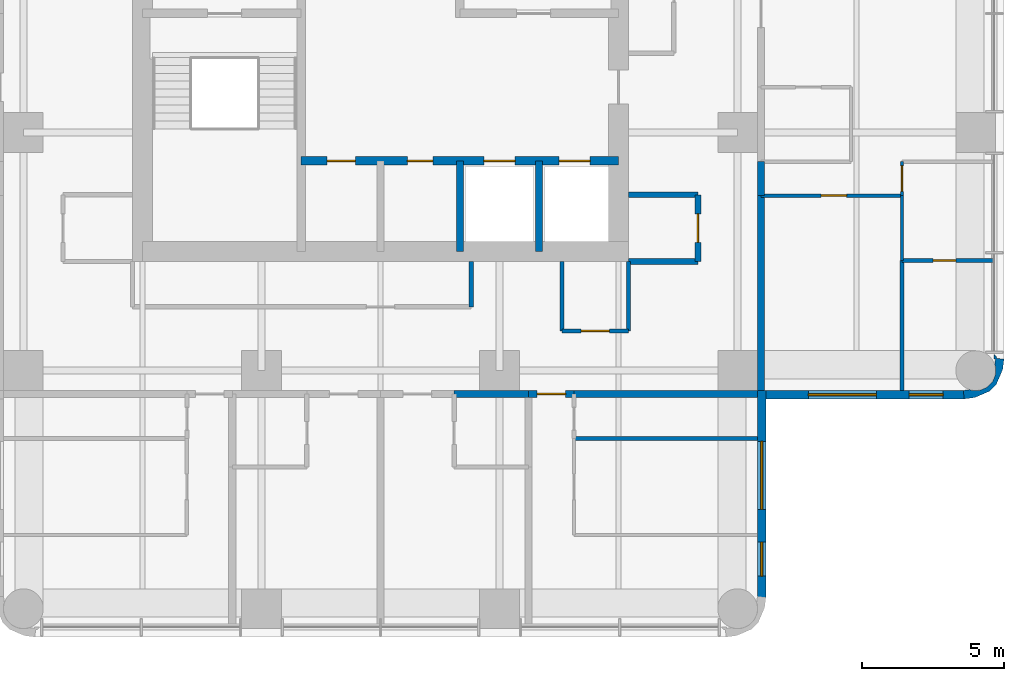
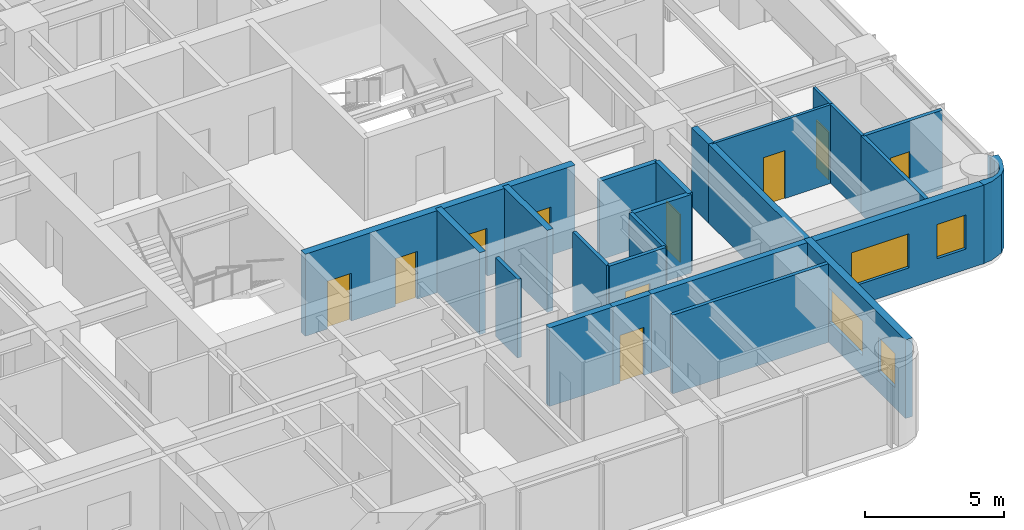
# One storey, part 7 of 11: 24 walls, 10 doors, 4 windows, 14 openings.
"""IFC4 building model written with IfcOpenShell, lengths in metres."""

from ifc_helpers import new_model, si_unit, direction, frame, frame_2d, origin, place, context, subcontext, project, spatial, polyline, rectangle, outline, extrude, material, layer, layer_set, type_object, element, fill, save


model = new_model("IFC4")

# Units and contexts
model_context = context("Model", 3, precision=1e-05, world=origin(), true_north=direction((0.0, 1.0)))
body_context = subcontext(model_context, "Body", "Model", "MODEL_VIEW")
ifc_project = project(units=[si_unit("LENGTHUNIT", "METRE"), si_unit("AREAUNIT", "SQUARE_METRE"), si_unit("VOLUMEUNIT", "CUBIC_METRE"), si_unit("PLANEANGLEUNIT", "RADIAN"), si_unit("MASSUNIT", "GRAM", prefix="KILO")], contexts=[model_context])

# Site, building, storey
site_placement = place(None, origin())
site = spatial("IfcSite", under=ifc_project, at=site_placement, CompositionType="ELEMENT")
building_placement = place(site_placement, origin())
building = spatial("IfcBuilding", under=site, at=building_placement, Name="Torre Alcanfor", CompositionType="ELEMENT")
storey_placement = place(building_placement, frame((0.0, 0.0, 237.300048828125)))
storey = spatial("IfcBuildingStorey", under=building, at=storey_placement, Name="L62", CompositionType="ELEMENT", Elevation=237.300048828125)

# Walls
ifc_material_1 = material(Name="Concrete block masonry, hollow blocks NMX-C-404 9 MPa", Category="masonry")
ifc_layer_1 = layer(ifc_material_1, 0.25)
ifc_layer_set_1 = layer_set([ifc_layer_1], Name="Apartment entrance wall 250 EI 60")
wall_type_1 = type_object("IfcWallType", Name="Apartment entrance wall 250 EI 60", PredefinedType="PARTITIONING", material=ifc_layer_set_1)
wall_1_placement = place(storey_placement, frame((42.824951171875, 24.1708984375, 0.0), z_axis=(0.0, 0.0, 1.0), x_axis=(0.0, -1.0, 0.0)))
element("IfcWall", 1, at=wall_1_placement, inside=storey, type_object=wall_type_1, Name="Partition L62-CORR / L62-EX-LIVING", PredefinedType="PARTITIONING", context=body_context, shape_type="SweptSolid", body=[
    extrude(rectangle(XDim=1.199951171875, YDim=0.25, at=frame_2d((0.60009765625, 0.0))), origin(), (0.0, 0.0, 1.0), 3.449951171875),
])
wall_2_placement = place(storey_placement, frame((42.824951171875, 22.970947265625, 0.0), z_axis=(0.0, 0.0, 1.0), x_axis=(0.0, -1.0, 0.0)))
element("IfcWall", 2, at=wall_2_placement, inside=storey, type_object=wall_type_1, Name="Partition L62-CORR / L62-EX-BED3", PredefinedType="PARTITIONING", context=body_context, shape_type="SweptSolid", body=[
    extrude(rectangle(XDim=6.870849609375, YDim=0.25, at=frame_2d((3.435546875, 0.0))), origin(), (0.0, 0.0, 1.0), 3.449951171875),
])
wall_3_placement = place(storey_placement, frame((34.62890625, 15.97509765625, 0.0), z_axis=(0.0, 0.0, 1.0), x_axis=(-1.0, 0.0, 0.0)))
element("IfcWall", 3, at=wall_3_placement, inside=storey, type_object=wall_type_1, Name="Partition L62-CORR / L62-S1A-BATH", PredefinedType="PARTITIONING", context=body_context, shape_type="SweptSolid", body=[
    extrude(rectangle(XDim=2.62890625, YDim=0.25, at=frame_2d((1.314453125, 0.0))), origin(), (0.0, 0.0, 1.0), 3.449951171875),
])

# Wall, opening, door
wall_4_placement = place(storey_placement, frame((36.22900390625, 15.97509765625, 0.0), z_axis=(0.0, 0.0, 1.0), x_axis=(-1.0, 0.0, 0.0)))
wall_4 = element("IfcWall", 4, at=wall_4_placement, inside=storey, type_object=wall_type_1, Name="Partition L62-CORR / L62-S1B-LIVING", PredefinedType="PARTITIONING", context=body_context, shape_type="SweptSolid", body=[
    extrude(rectangle(XDim=1.60009765625, YDim=0.25, at=frame_2d((0.800048828125, 0.0))), origin(), (0.0, 0.0, 1.0), 3.449951171875),
])
opening_1_placement = place(wall_4_placement, frame((0.300048828125, 0.0, 0.0)))
opening_1 = element("IfcOpeningElement", 5, at=opening_1_placement, cuts=wall_4, Name="Opening D-A1", PredefinedType="OPENING", context=body_context, shape_type="SweptSolid", body=[
    extrude(rectangle(XDim=1.0, YDim=2.10009765625, at=frame_2d((0.5, 1.050048828125))), frame((0.0, 0.135009765625, 0.0), z_axis=(0.0, -1.0, 0.0), x_axis=(1.0, 0.0, 0.0)), (0.0, 0.0, 1.0), 0.27001953125),
])
ifc_material_2 = material(Name="Galvanised steel sheet ASTM A653", Category="steel")
door_type_1 = type_object("IfcDoorType", Name="Apartment entrance door FD60 1000x2100", OperationType="SINGLE_SWING_LEFT", PredefinedType="DOOR", material=ifc_material_2)
door_1_placement = place(opening_1_placement, origin())
door_1 = element("IfcDoor", 6, at=door_1_placement, inside=storey, type_object=door_type_1, Name="Apartment entrance L62-S1B", OperationType="SINGLE_SWING_LEFT", OverallHeight=2.10009765625, OverallWidth=1.0, PredefinedType="DOOR", context=body_context, shape_type="SweptSolid", body=[
    extrude(rectangle(XDim=1.0, YDim=2.10009765625, at=frame_2d((0.5, 1.050048828125))), frame((0.0, 0.02490234375, 0.0), z_axis=(0.0, -1.0, 0.0), x_axis=(1.0, 0.0, 0.0)), (0.0, 0.0, 1.0), 0.050048828125),
])
fill(opening_1, door_1)

# Wall
wall_5_placement = place(storey_placement, frame((42.699951171875, 15.97509765625, 0.0), z_axis=(0.0, 0.0, 1.0), x_axis=(-1.0, 0.0, 0.0)))
element("IfcWall", 7, at=wall_5_placement, inside=storey, type_object=wall_type_1, Name="Partition L62-CORR / L62-S1B-BATH", PredefinedType="PARTITIONING", context=body_context, shape_type="SweptSolid", body=[
    extrude(rectangle(XDim=6.470947265625, YDim=0.25, at=frame_2d((3.2353515625, 0.0))), origin(), (0.0, 0.0, 1.0), 3.449951171875),
])

# Wall, opening, door
ifc_material_3 = material(Name="Gypsum board on steel studs", Category="steel")
ifc_layer_2 = layer(ifc_material_3, 0.1201171875)
ifc_layer_set_2 = layer_set([ifc_layer_2], Name="Apartment partition 120")
wall_type_2 = type_object("IfcWallType", Name="Apartment partition 120", PredefinedType="PARTITIONING", material=ifc_layer_set_2)
wall_6_placement = place(storey_placement, frame((47.800048828125, 22.970947265625, 0.0), z_axis=(0.0, 0.0, 1.0), x_axis=(-1.0, 0.0, 0.0)))
wall_6 = element("IfcWall", 8, at=wall_6_placement, inside=storey, type_object=wall_type_2, Name="Partition L62-EX-LIVING / L62-EX-BED3", PredefinedType="PARTITIONING", context=body_context, shape_type="SweptSolid", body=[
    extrude(rectangle(XDim=4.97509765625, YDim=0.1201171875, at=frame_2d((2.487548828125, 0.0))), origin(), (0.0, 0.0, 1.0), 3.449951171875),
])
opening_2_placement = place(wall_6_placement, frame((1.949951171875, 0.0, 0.0)))
opening_2 = element("IfcOpeningElement", 9, at=opening_2_placement, cuts=wall_6, Name="Opening D-R1", PredefinedType="OPENING", context=body_context, shape_type="SweptSolid", body=[
    extrude(rectangle(XDim=0.89990234375, YDim=2.10009765625, at=frame_2d((0.449951171875, 1.050048828125))), frame((0.0, 0.070068359375, 0.0), z_axis=(0.0, -1.0, 0.0), x_axis=(1.0, 0.0, 0.0)), (0.0, 0.0, 1.0), 0.14013671875),
])
ifc_material_4 = material(Name="Timber", Category="wood")
door_type_2 = type_object("IfcDoorType", Name="Internal door 900x2100", OperationType="SINGLE_SWING_LEFT", PredefinedType="DOOR", material=ifc_material_4)
door_2_placement = place(opening_2_placement, origin())
door_2 = element("IfcDoor", 10, at=door_2_placement, inside=storey, type_object=door_type_2, Name="Door L62-EX bed3", OperationType="SINGLE_SWING_LEFT", OverallHeight=2.10009765625, OverallWidth=0.89990234375, PredefinedType="DOOR", context=body_context, shape_type="SweptSolid", body=[
    extrude(rectangle(XDim=0.89990234375, YDim=2.10009765625, at=frame_2d((0.449951171875, 1.050048828125))), frame((0.0, 0.02490234375, 0.0), z_axis=(0.0, -1.0, 0.0), x_axis=(1.0, 0.0, 0.0)), (0.0, 0.0, 1.0), 0.050048828125),
])
fill(opening_2, door_2)

wall_7_placement = place(storey_placement, frame((47.800048828125, 24.1708984375, 0.0), z_axis=(0.0, 0.0, 1.0), x_axis=(0.0, -1.0, 0.0)))
wall_7 = element("IfcWall", 11, at=wall_7_placement, inside=storey, type_object=wall_type_2, Name="Partition L62-EX-LIVING / L62-EX-BED1", PredefinedType="PARTITIONING", context=body_context, shape_type="SweptSolid", body=[
    extrude(rectangle(XDim=1.199951171875, YDim=0.1201171875, at=frame_2d((0.60009765625, 0.0))), origin(), (0.0, 0.0, 1.0), 3.449951171875),
])
opening_3_placement = place(wall_7_placement, frame((0.15087890625, 0.0, 0.0)))
opening_3 = element("IfcOpeningElement", 12, at=opening_3_placement, cuts=wall_7, Name="Opening D-R1", PredefinedType="OPENING", context=body_context, shape_type="SweptSolid", body=[
    extrude(rectangle(XDim=0.89990234375, YDim=2.10009765625, at=frame_2d((0.449951171875, 1.050048828125))), frame((0.0, 0.070068359375, 0.0), z_axis=(0.0, -1.0, 0.0), x_axis=(1.0, 0.0, 0.0)), (0.0, 0.0, 1.0), 0.14013671875),
])
door_3_placement = place(opening_3_placement, origin())
door_3 = element("IfcDoor", 13, at=door_3_placement, inside=storey, type_object=door_type_2, Name="Door L62-EX bed1", OperationType="SINGLE_SWING_LEFT", OverallHeight=2.10009765625, OverallWidth=0.89990234375, PredefinedType="DOOR", context=body_context, shape_type="SweptSolid", body=[
    extrude(rectangle(XDim=0.89990234375, YDim=2.10009765625, at=frame_2d((0.449951171875, 1.050048828125))), frame((0.0, 0.02490234375, 0.0), z_axis=(0.0, -1.0, 0.0), x_axis=(1.0, 0.0, 0.0)), (0.0, 0.0, 1.0), 0.050048828125),
])
fill(opening_3, door_3)

# Wall
wall_8_placement = place(storey_placement, frame((47.800048828125, 20.68603515625, 0.0), z_axis=(0.0, 0.0, 1.0), x_axis=(0.0, 1.0, 0.0)))
element("IfcWall", 14, at=wall_8_placement, inside=storey, type_object=wall_type_2, Name="Partition L62-EX-BED3 / L62-EX-BED1", PredefinedType="PARTITIONING", context=body_context, shape_type="SweptSolid", body=[
    extrude(rectangle(XDim=2.284912109375, YDim=0.1201171875, at=frame_2d((1.142578125, 0.0))), origin(), (0.0, 0.0, 1.0), 3.449951171875),
])

# Wall, openings, doors
ifc_material_5 = material(Name="Concrete f'c 70 MPa", Category="concrete")
ifc_layer_3 = layer(ifc_material_5, 0.300048828125)
ifc_layer_set_3 = layer_set([ifc_layer_3], Name="Core inner wall 300 f'c70")
wall_type_3 = type_object("IfcWallType", Name="Core inner wall 300 f'c70", PredefinedType="SHEAR", material=ifc_layer_set_3)
wall_9_placement = place(storey_placement, frame((26.60009765625, 24.199951171875, 0.0), z_axis=(0.0, 0.0, 1.0), x_axis=(1.0, 0.0, 0.0)))
wall_9 = element("IfcWall", 15, at=wall_9_placement, inside=storey, type_object=wall_type_3, Name="Core wall Y242 L62", PredefinedType="SHEAR", context=body_context, shape_type="SweptSolid", body=[
    extrude(rectangle(XDim=11.199951171875, YDim=0.300048828125, at=frame_2d((5.60009765625, 0.0))), origin(), (0.0, 0.0, 1.0), 3.599853515625),
])
opening_4_placement = place(wall_9_placement, frame((0.91259765625, 0.0, 0.0)))
opening_4 = element("IfcOpeningElement", 16, at=opening_4_placement, cuts=wall_9, Name="Opening D-K1", PredefinedType="OPENING", context=body_context, shape_type="SweptSolid", body=[
    extrude(rectangle(XDim=1.0, YDim=2.10009765625, at=frame_2d((0.5, 1.050048828125))), frame((0.0, 0.159912109375, 0.0), z_axis=(0.0, -1.0, 0.0), x_axis=(1.0, 0.0, 0.0)), (0.0, 0.0, 1.0), 0.320068359375),
])
opening_5_placement = place(wall_9_placement, frame((3.75, 0.0, 0.0)))
opening_5 = element("IfcOpeningElement", 17, at=opening_5_placement, cuts=wall_9, Name="Opening D-Q1", PredefinedType="OPENING", context=body_context, shape_type="SweptSolid", body=[
    extrude(rectangle(XDim=0.89990234375, YDim=2.10009765625, at=frame_2d((0.449951171875, 1.050048828125))), frame((0.0, 0.159912109375, 0.0), z_axis=(0.0, -1.0, 0.0), x_axis=(1.0, 0.0, 0.0)), (0.0, 0.0, 1.0), 0.320068359375),
])
opening_6_placement = place(wall_9_placement, frame((6.449951171875, 0.0, 0.0)))
opening_6 = element("IfcOpeningElement", 18, at=opening_6_placement, cuts=wall_9, Name="Opening LD1", PredefinedType="OPENING", context=body_context, shape_type="SweptSolid", body=[
    extrude(rectangle(XDim=1.10009765625, YDim=2.10009765625, at=frame_2d((0.550048828125, 1.050048828125))), frame((0.0, 0.159912109375, 0.0), z_axis=(0.0, -1.0, 0.0), x_axis=(1.0, 0.0, 0.0)), (0.0, 0.0, 1.0), 0.320068359375),
])
opening_7_placement = place(wall_9_placement, frame((9.10009765625, 0.0, 0.0)))
opening_7 = element("IfcOpeningElement", 19, at=opening_7_placement, cuts=wall_9, Name="Opening LD1", PredefinedType="OPENING", context=body_context, shape_type="SweptSolid", body=[
    extrude(rectangle(XDim=1.10009765625, YDim=2.10009765625, at=frame_2d((0.550048828125, 1.050048828125))), frame((0.0, 0.159912109375, 0.0), z_axis=(0.0, -1.0, 0.0), x_axis=(1.0, 0.0, 0.0)), (0.0, 0.0, 1.0), 0.320068359375),
])
ifc_material_6 = material(Name="Galvanised steel sheet ASTM A653", Category="steel")
door_type_3 = type_object("IfcDoorType", Name="Core room door FD60 1000x2100", OperationType="SINGLE_SWING_LEFT", PredefinedType="DOOR", material=ifc_material_6)
door_4_placement = place(opening_4_placement, frame((1.0, 0.0, 0.0), z_axis=(0.0, 0.0, 1.0), x_axis=(-1.0, 0.0, 0.0)))
door_4 = element("IfcDoor", 20, at=door_4_placement, inside=storey, type_object=door_type_3, Name="Housekeeping store door L62", OperationType="SINGLE_SWING_RIGHT", OverallHeight=2.10009765625, OverallWidth=1.0, PredefinedType="DOOR", context=body_context, shape_type="SweptSolid", body=[
    extrude(rectangle(XDim=1.0, YDim=2.10009765625, at=frame_2d((0.5, 1.050048828125))), frame((0.0, 0.025146484375, 0.0), z_axis=(0.0, -1.0, 0.0), x_axis=(1.0, 0.0, 0.0)), (0.0, 0.0, 1.0), 0.050048828125),
])
fill(opening_4, door_4)
ifc_material_7 = material(Name="Galvanised steel sheet ASTM A653", Category="steel")
door_type_4 = type_object("IfcDoorType", Name="Lift landing door 1100x2100", OperationType="DOUBLE_DOOR_SLIDING", PredefinedType="DOOR", material=ifc_material_7)
door_5_placement = place(opening_6_placement, origin())
door_5 = element("IfcDoor", 21, at=door_5_placement, inside=storey, type_object=door_type_4, Name="Lift landing door PA3 L62", OperationType="DOUBLE_DOOR_SLIDING", OverallHeight=2.10009765625, OverallWidth=1.10009765625, PredefinedType="DOOR", context=body_context, shape_type="SweptSolid", body=[
    extrude(rectangle(XDim=1.10009765625, YDim=2.10009765625, at=frame_2d((0.550048828125, 1.050048828125))), frame((0.0, 0.02490234375, 0.0), z_axis=(0.0, -1.0, 0.0), x_axis=(1.0, 0.0, 0.0)), (0.0, 0.0, 1.0), 0.050048828125),
])
fill(opening_6, door_5)
door_6_placement = place(opening_7_placement, origin())
door_6 = element("IfcDoor", 22, at=door_6_placement, inside=storey, type_object=door_type_4, Name="Lift landing door PA4 L62", OperationType="DOUBLE_DOOR_SLIDING", OverallHeight=2.10009765625, OverallWidth=1.10009765625, PredefinedType="DOOR", context=body_context, shape_type="SweptSolid", body=[
    extrude(rectangle(XDim=1.10009765625, YDim=2.10009765625, at=frame_2d((0.550048828125, 1.050048828125))), frame((0.0, 0.02490234375, 0.0), z_axis=(0.0, -1.0, 0.0), x_axis=(1.0, 0.0, 0.0)), (0.0, 0.0, 1.0), 0.050048828125),
])
fill(opening_7, door_6)
ifc_material_8 = material(Name="Galvanised steel sheet ASTM A653", Category="steel")
door_type_5 = type_object("IfcDoorType", Name="Riser access door FD120 900x2100", OperationType="SINGLE_SWING_LEFT", PredefinedType="DOOR", material=ifc_material_8)
door_7_placement = place(opening_5_placement, frame((0.89990234375, 0.0, 0.0), z_axis=(0.0, 0.0, 1.0), x_axis=(-1.0, 0.0, 0.0)))
door_7 = element("IfcDoor", 23, at=door_7_placement, inside=storey, type_object=door_type_5, Name="Riser door L62", OperationType="SINGLE_SWING_RIGHT", OverallHeight=2.10009765625, OverallWidth=0.89990234375, PredefinedType="DOOR", context=body_context, shape_type="SweptSolid", body=[
    extrude(rectangle(XDim=0.89990234375, YDim=2.10009765625, at=frame_2d((0.449951171875, 1.050048828125))), frame((0.0, 0.025146484375, 0.0), z_axis=(0.0, -1.0, 0.0), x_axis=(1.0, 0.0, 0.0)), (0.0, 0.0, 1.0), 0.050048828125),
])
fill(opening_5, door_7)

# Walls
ifc_material_9 = material(Name="Concrete f'c 70 MPa", Category="concrete")
ifc_layer_4 = layer(ifc_material_9, 0.25)
ifc_layer_set_4 = layer_set([ifc_layer_4], Name="Core shaft wall 250 f'c70")
wall_type_4 = type_object("IfcWallType", Name="Core shaft wall 250 f'c70", PredefinedType="SHEAR", material=ifc_layer_set_4)
for number, where, z_axis, x_axis, name in (
    (24, (32.199951171875, 21.0, 0.0), (0.0, 0.0, 1.0), (0.0, 1.0, 0.0), "Core wall X322S L62"),
    (25, (35.0, 21.0, 0.0), (0.0, 0.0, 1.0), (0.0, 1.0, 0.0), "Core wall X350S L62"),
):
    element("IfcWall", number, at=place(storey_placement, frame(where, z_axis=z_axis, x_axis=x_axis)), inside=storey, type_object=wall_type_4, Name=name, PredefinedType="SHEAR", context=body_context, shape_type="SweptSolid", body=[
        extrude(rectangle(XDim=3.199951171875, YDim=0.25, at=frame_2d((1.60009765625, 0.0))), origin(), (0.0, 0.0, 1.0), 3.599853515625),
    ])

# Wall, openings, windows
ifc_material_10 = material(Name="Limestone cladding", Category="masonry")
ifc_layer_5 = layer(ifc_material_10, 0.0400390625, Name="Facing")
ifc_material_11 = material(Name="Ventilated air cavity")
ifc_layer_6 = layer(ifc_material_11, 0.02001953125, ventilated=True, Name="Ventilated joint")
ifc_material_12 = material(Name="Mineral wool insulation", Category="insulation")
ifc_layer_7 = layer(ifc_material_12, 0.10009765625, Name="Insulation")
ifc_material_13 = material(Name="Concrete f'c 35 MPa", Category="concrete")
ifc_layer_8 = layer(ifc_material_13, 0.139892578125, Name="Backing")
ifc_layer_set_5 = layer_set([ifc_layer_5, ifc_layer_6, ifc_layer_7, ifc_layer_8], Name="External wall stone-clad 300")
wall_type_5 = type_object("IfcWallType", Name="External wall stone-clad 300", PredefinedType="SOLIDWALL", material=ifc_layer_set_5)
wall_10_placement = place(storey_placement, frame((42.85009765625, 8.800048828125, 0.0), z_axis=(0.0, 0.0, 1.0), x_axis=(0.0, 1.0, 0.0)))
wall_10 = element("IfcWall", 26, at=wall_10_placement, inside=storey, type_object=wall_type_5, Name="External wall L62 6", PredefinedType="SOLIDWALL", context=body_context, shape_type="SweptSolid", body=[
    extrude(rectangle(XDim=7.300048828125, YDim=0.300048828125, at=frame_2d((3.64990234375, 0.0))), origin(), (0.0, 0.0, 1.0), 3.449951171875),
])
opening_8_placement = place(wall_10_placement, frame((3.10009765625, 0.0, 0.89990234375)))
opening_8 = element("IfcOpeningElement", 27, at=opening_8_placement, cuts=wall_10, Name="Opening W1", PredefinedType="OPENING", context=body_context, shape_type="SweptSolid", body=[
    extrude(rectangle(XDim=2.39990234375, YDim=1.5, at=frame_2d((1.199951171875, 0.75))), frame((0.0, 0.159912109375, 0.0), z_axis=(0.0, -1.0, 0.0), x_axis=(1.0, 0.0, 0.0)), (0.0, 0.0, 1.0), 0.320068359375),
])
opening_9_placement = place(wall_10_placement, frame((0.75, 0.0, 0.89990234375)))
opening_9 = element("IfcOpeningElement", 28, at=opening_9_placement, cuts=wall_10, Name="Opening W4", PredefinedType="OPENING", context=body_context, shape_type="SweptSolid", body=[
    extrude(rectangle(XDim=1.199951171875, YDim=1.5, at=frame_2d((0.60009765625, 0.75))), frame((0.0, 0.159912109375, 0.0), z_axis=(0.0, -1.0, 0.0), x_axis=(1.0, 0.0, 0.0)), (0.0, 0.0, 1.0), 0.320068359375),
])
ifc_material_14 = material(Name="Aluminium frame with clear double glazing", Category="aluminium")
window_type_1 = type_object("IfcWindowType", Name="Window bedroom 1200x1500", PartitioningType="SINGLE_PANEL", PredefinedType="WINDOW", material=ifc_material_14)
window_1_placement = place(opening_9_placement, origin())
window_1 = element("IfcWindow", 29, at=window_1_placement, inside=storey, type_object=window_type_1, Name="Window W4 L62-S1", OverallHeight=1.5, OverallWidth=1.199951171875, PartitioningType="SINGLE_PANEL", PredefinedType="WINDOW", context=body_context, shape_type="SweptSolid", body=[
    extrude(rectangle(XDim=1.199951171875, YDim=1.5, at=frame_2d((0.60009765625, 0.75))), frame((0.0, 0.030029296875, 0.0), z_axis=(0.0, -1.0, 0.0), x_axis=(1.0, 0.0, 0.0)), (0.0, 0.0, 1.0), 0.06005859375),
])
fill(opening_9, window_1)
ifc_material_15 = material(Name="Aluminium frame with clear double glazing", Category="aluminium")
window_type_2 = type_object("IfcWindowType", Name="Window bedroom 2400x1500", PartitioningType="SINGLE_PANEL", PredefinedType="WINDOW", material=ifc_material_15)
window_2_placement = place(opening_8_placement, origin())
window_2 = element("IfcWindow", 30, at=window_2_placement, inside=storey, type_object=window_type_2, Name="Window W1 L62-S1", OverallHeight=1.5, OverallWidth=2.39990234375, PartitioningType="SINGLE_PANEL", PredefinedType="WINDOW", context=body_context, shape_type="SweptSolid", body=[
    extrude(rectangle(XDim=2.39990234375, YDim=1.5, at=frame_2d((1.199951171875, 0.75))), frame((0.0, 0.030029296875, 0.0), z_axis=(0.0, -1.0, 0.0), x_axis=(1.0, 0.0, 0.0)), (0.0, 0.0, 1.0), 0.06005859375),
])
fill(opening_8, window_2)

wall_11_placement = place(storey_placement, frame((43.0, 15.949951171875, 0.0), z_axis=(0.0, 0.0, 1.0), x_axis=(1.0, 0.0, 0.0)))
wall_11 = element("IfcWall", 31, at=wall_11_placement, inside=storey, type_object=wall_type_5, Name="External wall L62 7", PredefinedType="SOLIDWALL", context=body_context, shape_type="SweptSolid", body=[
    extrude(rectangle(XDim=7.0, YDim=0.300048828125, at=frame_2d((3.5, 0.0))), origin(), (0.0, 0.0, 1.0), 3.449951171875),
])
opening_10_placement = place(wall_11_placement, frame((1.5, 0.0, 0.89990234375)))
opening_10 = element("IfcOpeningElement", 32, at=opening_10_placement, cuts=wall_11, Name="Opening W1", PredefinedType="OPENING", context=body_context, shape_type="SweptSolid", body=[
    extrude(rectangle(XDim=2.39990234375, YDim=1.5, at=frame_2d((1.199951171875, 0.75))), frame((0.0, 0.159912109375, 0.0), z_axis=(0.0, -1.0, 0.0), x_axis=(1.0, 0.0, 0.0)), (0.0, 0.0, 1.0), 0.320068359375),
])
opening_11_placement = place(wall_11_placement, frame((5.050048828125, 0.0, 0.89990234375)))
opening_11 = element("IfcOpeningElement", 33, at=opening_11_placement, cuts=wall_11, Name="Opening W4", PredefinedType="OPENING", context=body_context, shape_type="SweptSolid", body=[
    extrude(rectangle(XDim=1.199951171875, YDim=1.5, at=frame_2d((0.60009765625, 0.75))), frame((0.0, 0.159912109375, 0.0), z_axis=(0.0, -1.0, 0.0), x_axis=(1.0, 0.0, 0.0)), (0.0, 0.0, 1.0), 0.320068359375),
])
window_3_placement = place(opening_11_placement, origin())
window_3 = element("IfcWindow", 34, at=window_3_placement, inside=storey, type_object=window_type_1, Name="Window W4 L62-E2", OverallHeight=1.5, OverallWidth=1.199951171875, PartitioningType="SINGLE_PANEL", PredefinedType="WINDOW", context=body_context, shape_type="SweptSolid", body=[
    extrude(rectangle(XDim=1.199951171875, YDim=1.5, at=frame_2d((0.60009765625, 0.75))), frame((0.0, 0.030029296875, 0.0), z_axis=(0.0, -1.0, 0.0), x_axis=(1.0, 0.0, 0.0)), (0.0, 0.0, 1.0), 0.06005859375),
])
fill(opening_11, window_3)
window_4_placement = place(opening_10_placement, origin())
window_4 = element("IfcWindow", 35, at=window_4_placement, inside=storey, type_object=window_type_2, Name="Window W1 L62-E2", OverallHeight=1.5, OverallWidth=2.39990234375, PartitioningType="SINGLE_PANEL", PredefinedType="WINDOW", context=body_context, shape_type="SweptSolid", body=[
    extrude(rectangle(XDim=2.39990234375, YDim=1.5, at=frame_2d((1.199951171875, 0.75))), frame((0.0, 0.030029296875, 0.0), z_axis=(0.0, -1.0, 0.0), x_axis=(1.0, 0.0, 0.0)), (0.0, 0.0, 1.0), 0.06005859375),
])
fill(opening_10, window_4)

# Wall
ifc_material_16 = material(Name="Concrete block masonry, hollow blocks NMX-C-404 9 MPa", Category="masonry")
ifc_layer_9 = layer(ifc_material_16, 0.199951171875)
ifc_layer_set_6 = layer_set([ifc_layer_9], Name="Plant room wall 200 EI 60")
wall_type_6 = type_object("IfcWallType", Name="Plant room wall 200 EI 60", PredefinedType="PARTITIONING", material=ifc_layer_set_6)
wall_12_placement = place(storey_placement, frame((38.14990234375, 20.64990234375, 0.0), z_axis=(0.0, 0.0, 1.0), x_axis=(1.0, 0.0, 0.0)))
element("IfcWall", 36, at=wall_12_placement, inside=storey, type_object=wall_type_6, Name="Partition L62-CORR / L62-G03", PredefinedType="PARTITIONING", context=body_context, shape_type="SweptSolid", body=[
    extrude(rectangle(XDim=2.4501953125, YDim=0.199951171875, at=frame_2d((1.22509765625, 0.0))), origin(), (0.0, 0.0, 1.0), 3.449951171875),
])

# Wall, opening, door
wall_13_placement = place(storey_placement, frame((40.60009765625, 20.64990234375, 0.0), z_axis=(0.0, 0.0, 1.0), x_axis=(0.0, 1.0, 0.0)))
wall_13 = element("IfcWall", 37, at=wall_13_placement, inside=storey, type_object=wall_type_6, Name="Partition L62-CORR / L62-G03", PredefinedType="PARTITIONING", context=body_context, shape_type="SweptSolid", body=[
    extrude(rectangle(XDim=2.35009765625, YDim=0.199951171875, at=frame_2d((1.175048828125, 0.0))), origin(), (0.0, 0.0, 1.0), 3.449951171875),
])
opening_12_placement = place(wall_13_placement, frame((0.675048828125, 0.0, 0.0)))
opening_12 = element("IfcOpeningElement", 38, at=opening_12_placement, cuts=wall_13, Name="Opening D-K1", PredefinedType="OPENING", context=body_context, shape_type="SweptSolid", body=[
    extrude(rectangle(XDim=1.0, YDim=2.10009765625, at=frame_2d((0.5, 1.050048828125))), frame((0.0, 0.10986328125, 0.0), z_axis=(0.0, -1.0, 0.0), x_axis=(1.0, 0.0, 0.0)), (0.0, 0.0, 1.0), 0.219970703125),
])
door_8_placement = place(opening_12_placement, origin())
door_8 = element("IfcDoor", 39, at=door_8_placement, inside=storey, type_object=door_type_3, Name="Door L62-G03 refuse and recycling store", OperationType="SINGLE_SWING_LEFT", OverallHeight=2.10009765625, OverallWidth=1.0, PredefinedType="DOOR", context=body_context, shape_type="SweptSolid", body=[
    extrude(rectangle(XDim=1.0, YDim=2.10009765625, at=frame_2d((0.5, 1.050048828125))), frame((0.0, 0.02490234375, 0.0), z_axis=(0.0, -1.0, 0.0), x_axis=(1.0, 0.0, 0.0)), (0.0, 0.0, 1.0), 0.050048828125),
])
fill(opening_12, door_8)

# Walls
wall_14_placement = place(storey_placement, frame((40.60009765625, 23.0, 0.0), z_axis=(0.0, 0.0, 1.0), x_axis=(-1.0, 0.0, 0.0)))
element("IfcWall", 40, at=wall_14_placement, inside=storey, type_object=wall_type_6, Name="Partition L62-CORR / L62-G03", PredefinedType="PARTITIONING", context=body_context, shape_type="SweptSolid", body=[
    extrude(rectangle(XDim=2.4501953125, YDim=0.199951171875, at=frame_2d((1.22509765625, 0.0))), origin(), (0.0, 0.0, 1.0), 3.449951171875),
])
ifc_material_17 = material(Name="Concrete block masonry, hollow blocks NMX-C-404 9 MPa", Category="masonry")
ifc_layer_10 = layer(ifc_material_17, 0.14990234375)
ifc_layer_set_7 = layer_set([ifc_layer_10], Name="Residents' room partition 150")
wall_type_7 = type_object("IfcWallType", Name="Residents' room partition 150", PredefinedType="PARTITIONING", material=ifc_layer_set_7)
wall_15_placement = place(storey_placement, frame((32.60009765625, 19.050048828125, 0.0), z_axis=(0.0, 0.0, 1.0), x_axis=(0.0, 1.0, 0.0)))
element("IfcWall", 41, at=wall_15_placement, inside=storey, type_object=wall_type_7, Name="Partition L62-CORR / L62-G05", PredefinedType="PARTITIONING", context=body_context, shape_type="SweptSolid", body=[
    extrude(rectangle(XDim=1.599853515625, YDim=0.14990234375, at=frame_2d((0.7998046875, 0.0))), origin(), (0.0, 0.0, 1.0), 3.449951171875),
])
wall_16_placement = place(storey_placement, frame((35.800048828125, 20.64990234375, 0.0), z_axis=(0.0, 0.0, 1.0), x_axis=(0.0, -1.0, 0.0)))
element("IfcWall", 42, at=wall_16_placement, inside=storey, type_object=wall_type_7, Name="Partition L62-CORR / L62-G06", PredefinedType="PARTITIONING", context=body_context, shape_type="SweptSolid", body=[
    extrude(rectangle(XDim=2.449951171875, YDim=0.14990234375, at=frame_2d((1.22509765625, 0.0))), origin(), (0.0, 0.0, 1.0), 3.449951171875),
])

# Wall, opening, door
wall_17_placement = place(storey_placement, frame((35.800048828125, 18.199951171875, 0.0), z_axis=(0.0, 0.0, 1.0), x_axis=(1.0, 0.0, 0.0)))
wall_17 = element("IfcWall", 43, at=wall_17_placement, inside=storey, type_object=wall_type_7, Name="Partition L62-CORR / L62-G06", PredefinedType="PARTITIONING", context=body_context, shape_type="SweptSolid", body=[
    extrude(rectangle(XDim=2.349853515625, YDim=0.14990234375, at=frame_2d((1.1748046875, 0.0))), origin(), (0.0, 0.0, 1.0), 3.449951171875),
])
opening_13_placement = place(wall_17_placement, frame((0.675048828125, 0.0, 0.0)))
opening_13 = element("IfcOpeningElement", 44, at=opening_13_placement, cuts=wall_17, Name="Opening D-M1", PredefinedType="OPENING", context=body_context, shape_type="SweptSolid", body=[
    extrude(rectangle(XDim=1.0, YDim=2.10009765625, at=frame_2d((0.5, 1.050048828125))), frame((0.0, 0.0849609375, 0.0), z_axis=(0.0, -1.0, 0.0), x_axis=(1.0, 0.0, 0.0)), (0.0, 0.0, 1.0), 0.169921875),
])
ifc_material_18 = material(Name="Timber", Category="wood")
door_type_6 = type_object("IfcDoorType", Name="Residents' room door 1000x2100", OperationType="SINGLE_SWING_LEFT", PredefinedType="DOOR", material=ifc_material_18)
door_9_placement = place(opening_13_placement, origin())
door_9 = element("IfcDoor", 45, at=door_9_placement, inside=storey, type_object=door_type_6, Name="Door L62-G06 residents' lockers", OperationType="SINGLE_SWING_LEFT", OverallHeight=2.10009765625, OverallWidth=1.0, PredefinedType="DOOR", context=body_context, shape_type="SweptSolid", body=[
    extrude(rectangle(XDim=1.0, YDim=2.10009765625, at=frame_2d((0.5, 1.050048828125))), frame((0.0, 0.02490234375, 0.0), z_axis=(0.0, -1.0, 0.0), x_axis=(1.0, 0.0, 0.0)), (0.0, 0.0, 1.0), 0.050048828125),
])
fill(opening_13, door_9)

# Walls
wall_18_placement = place(storey_placement, frame((38.14990234375, 18.199951171875, 0.0), z_axis=(0.0, 0.0, 1.0), x_axis=(0.0, 1.0, 0.0)))
element("IfcWall", 46, at=wall_18_placement, inside=storey, type_object=wall_type_7, Name="Partition L62-CORR / L62-G06", PredefinedType="PARTITIONING", context=body_context, shape_type="SweptSolid", body=[
    extrude(rectangle(XDim=2.449951171875, YDim=0.14990234375, at=frame_2d((1.22509765625, 0.0))), origin(), (0.0, 0.0, 1.0), 3.449951171875),
])
ifc_layer_11 = layer(ifc_material_10, 0.0400390625, Name="Facing")
ifc_layer_12 = layer(ifc_material_11, 0.02001953125, ventilated=True, Name="Ventilated joint")
ifc_layer_13 = layer(ifc_material_12, 0.10009765625, Name="Insulation")
ifc_layer_14 = layer(ifc_material_13, 0.139892578125, Name="Backing")
ifc_layer_set_8 = layer_set([ifc_layer_11, ifc_layer_12, ifc_layer_13, ifc_layer_14], Name="Rounded corner pier stone-clad 300")
wall_type_8 = type_object("IfcWallType", Name="Rounded corner pier stone-clad 300", PredefinedType="SOLIDWALL", material=ifc_layer_set_8)
wall_19_placement = place(storey_placement, frame((50.110315272, 16.075788181, 0.0), z_axis=(0.0, 0.0, 1.0), x_axis=(0.898030234854, -0.439933741929, 0.0)))
element("IfcWall", 47, at=wall_19_placement, inside=storey, type_object=wall_type_8, Name="Corner pier L62 17", PredefinedType="SOLIDWALL", context=body_context, shape_type="SweptSolid", body=[
    extrude(outline(polyline([(0.6635309497954787, 1.5768652207279077), (0.4261657470939745, 1.4970125439527688), (0.3820436753027886, 1.5360230024769612), (0.27620863417053443, 1.5722591508431565), (0.3493519149941243, 1.422952854472101), (0.3918855735785366, 1.4437895600224335), (0.45340193240181437, 1.2610574190776962), (0.5097761390474591, 1.211465523288862), (0.6324334469777668, 0.961086976364126), (0.6500435101724213, 0.6826272661031227), (0.5595694134864071, 0.41891221165833237), (0.3749822839006132, 0.2096814391710166), (0.12460373697587725, 0.08702413124070879), (0.0497715019894753, 0.08217265535453251), (-0.12751990672054841, -0.03540062823065235), (-0.14527880540785457, -0.04410048982640973), (0.02224059568510124, -0.2961536862237746), (0.3266570480405287, -0.09401072508638375), (0.5683303343389906, 0.18015912102175058), (0.5774346974139304, 0.19875607730145015), (0.6998664144502319, 0.3373020629515939), (0.8106998188665876, 0.6610135622172228), (0.7988778263184556, 0.8455257731096697), (0.8030824189706058, 0.8658003288507671), (0.7801681024384324, 1.230560545874389), (0.6635309497954787, 1.5768652207279077)])), origin(), (0.0, 0.0, 1.0), 3.449951171875),
])
ifc_material_19 = material(Name="Cement board on steel studs", Category="steel")
ifc_layer_15 = layer(ifc_material_19, 0.14990234375)
ifc_layer_set_9 = layer_set([ifc_layer_15], Name="Wet area partition 150")
wall_type_9 = type_object("IfcWallType", Name="Wet area partition 150", PredefinedType="PARTITIONING", material=ifc_layer_set_9)
wall_20_placement = place(storey_placement, frame((47.800048828125, 16.10009765625, 0.0), z_axis=(0.0, 0.0, 1.0), x_axis=(0.0, 1.0, 0.0)))
element("IfcWall", 48, at=wall_20_placement, inside=storey, type_object=wall_type_9, Name="Partition L62-EX-BED3 / L62-EX-BATH1", PredefinedType="PARTITIONING", context=body_context, shape_type="SweptSolid", body=[
    extrude(rectangle(XDim=4.5859375, YDim=0.14990234375, at=frame_2d((2.29296875, 0.0))), origin(), (0.0, 0.0, 1.0), 3.449951171875),
])

# Wall, opening, door
wall_21_placement = place(storey_placement, frame((51.050048828125, 20.68603515625, 0.0), z_axis=(0.0, 0.0, 1.0), x_axis=(-1.0, 0.0, 0.0)))
wall_21 = element("IfcWall", 49, at=wall_21_placement, inside=storey, type_object=wall_type_9, Name="Partition L62-EX-BATH1 / L62-EX-BED1", PredefinedType="PARTITIONING", context=body_context, shape_type="SweptSolid", body=[
    extrude(rectangle(XDim=3.25, YDim=0.14990234375, at=frame_2d((1.625, 0.0))), origin(), (0.0, 0.0, 1.0), 3.449951171875),
])
opening_14_placement = place(wall_21_placement, frame((1.35009765625, 0.0, 0.0)))
opening_14 = element("IfcOpeningElement", 50, at=opening_14_placement, cuts=wall_21, Name="Opening D-R2", PredefinedType="OPENING", context=body_context, shape_type="SweptSolid", body=[
    extrude(rectangle(XDim=0.800048828125, YDim=2.10009765625, at=frame_2d((0.39990234375, 1.050048828125))), frame((0.0, 0.0849609375, 0.0), z_axis=(0.0, -1.0, 0.0), x_axis=(1.0, 0.0, 0.0)), (0.0, 0.0, 1.0), 0.169921875),
])
ifc_material_20 = material(Name="Timber", Category="wood")
door_type_7 = type_object("IfcDoorType", Name="Bathroom door 800x2100", OperationType="SINGLE_SWING_LEFT", PredefinedType="DOOR", material=ifc_material_20)
door_10_placement = place(opening_14_placement, frame((0.800048828125, 0.0, 0.0), z_axis=(0.0, 0.0, 1.0), x_axis=(-1.0, 0.0, 0.0)))
door_10 = element("IfcDoor", 51, at=door_10_placement, inside=storey, type_object=door_type_7, Name="Door L62-EX bath1", OperationType="SINGLE_SWING_LEFT", OverallHeight=2.10009765625, OverallWidth=0.800048828125, PredefinedType="DOOR", context=body_context, shape_type="SweptSolid", body=[
    extrude(rectangle(XDim=0.800048828125, YDim=2.10009765625, at=frame_2d((0.400146484375, 1.050048828125))), frame((0.0, 0.025146484375, 0.0), z_axis=(0.0, -1.0, 0.0), x_axis=(1.0, 0.0, 0.0)), (0.0, 0.0, 1.0), 0.050048828125),
])
fill(opening_14, door_10)

# Wall
wall_22_placement = place(storey_placement, frame((36.22900390625, 14.39990234375, 0.0), z_axis=(0.0, 0.0, 1.0), x_axis=(1.0, 0.0, 0.0)))
element("IfcWall", 52, at=wall_22_placement, inside=storey, type_object=wall_type_9, Name="Partition L62-S1B-BATH / L62-S1B-MASTER", PredefinedType="PARTITIONING", context=body_context, shape_type="SweptSolid", body=[
    extrude(rectangle(XDim=6.470947265625, YDim=0.14990234375, at=frame_2d((3.2353515625, 0.0))), origin(), (0.0, 0.0, 1.0), 3.449951171875),
])

save(model, "model.ifc")
